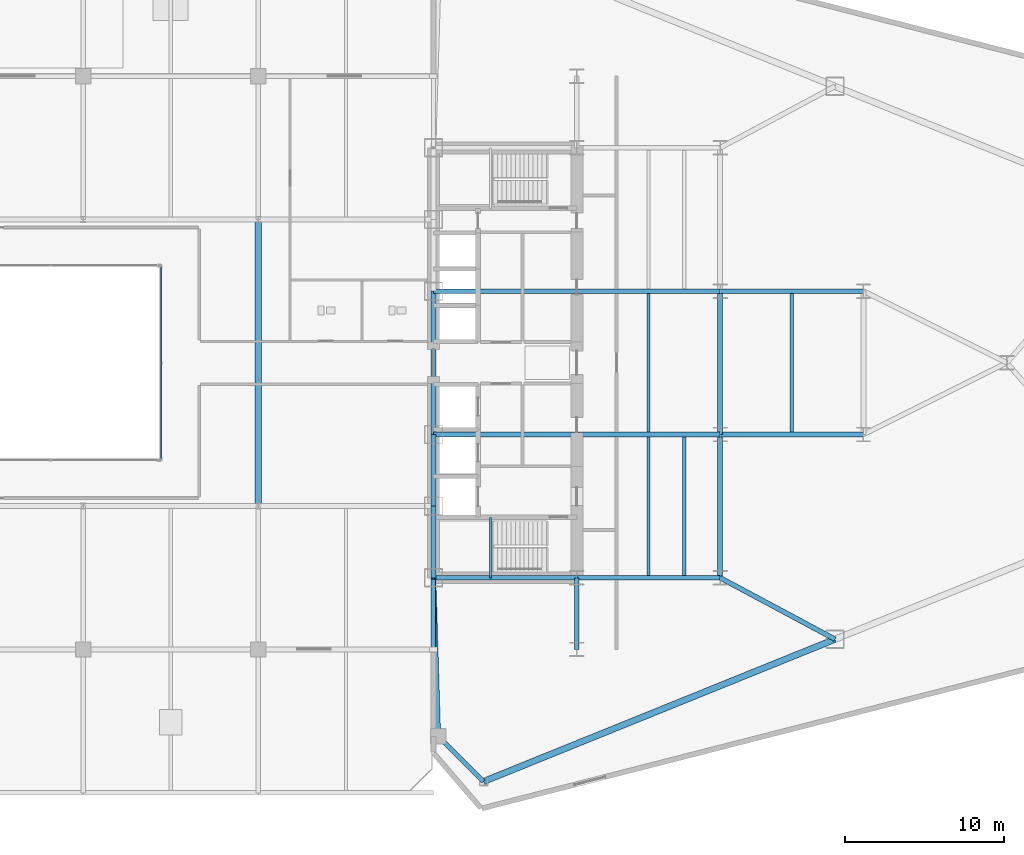
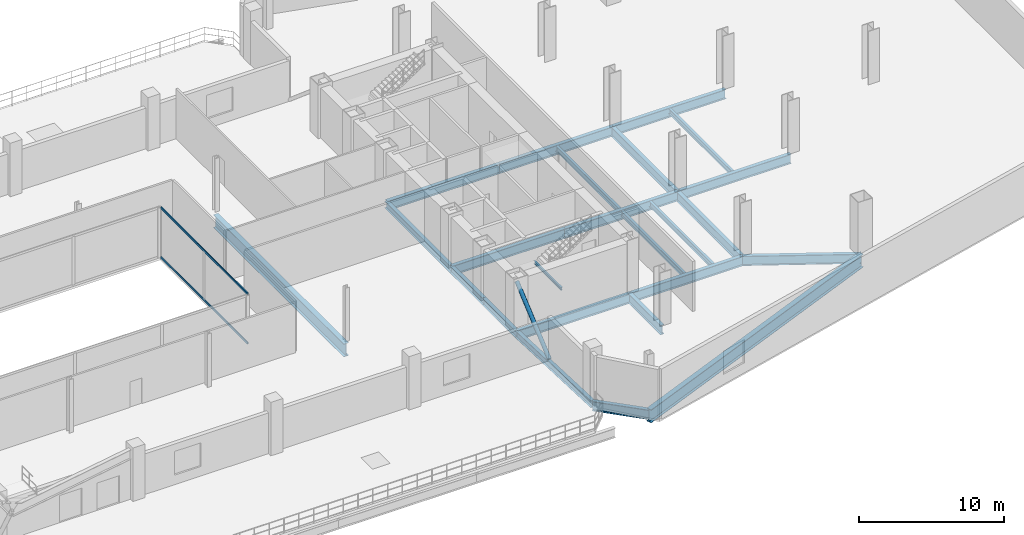
# One storey, part 14 of 27: 24 beams, 3 members, 1 element without a shape of its own.
"""IFC4 building model written with IfcOpenShell, lengths in metres."""

from ifc_helpers import new_model, si_unit, direction, frame, origin, origin_2d, place, context, subcontext, project, spatial, rectangle, hollow_circle, i_section, extrude, source, transform, mapped, material, layer, layer_set, material_profile, profile_set, type_object, type_shapes, element, aggregate, save


model = new_model("IFC4")

# Units and contexts
model_context = context("Model", 3, precision=1e-05, world=origin(), true_north=direction((0.0, 1.0)))
body_context = subcontext(model_context, "Body", "Model", "MODEL_VIEW")
ifc_project = project(units=[si_unit("LENGTHUNIT", "METRE"), si_unit("AREAUNIT", "SQUARE_METRE"), si_unit("VOLUMEUNIT", "CUBIC_METRE"), si_unit("PLANEANGLEUNIT", "RADIAN"), si_unit("MASSUNIT", "GRAM", prefix="KILO")], contexts=[model_context])

# Site, building, storey
site_placement = place(None, origin())
site = spatial("IfcSite", under=ifc_project, at=site_placement, CompositionType="ELEMENT")
building_placement = place(site_placement, origin())
building = spatial("IfcBuilding", under=site, at=building_placement, Name="Seokmaru Belvedere", CompositionType="ELEMENT")
storey_placement = place(building_placement, frame((0.0, 0.0, 9.89990234375)))
storey = spatial("IfcBuildingStorey", under=building, at=storey_placement, Name="L02", CompositionType="ELEMENT", Elevation=9.89990234375)

# Beams
ifc_material_1 = material(Name="Steel SM355 (355 MPa)", Category="steel")
ifc_material_profile_1 = material_profile(ifc_material_1, i_section(OverallWidth=0.300048828125, OverallDepth=0.587890625, WebThickness=0.011962890625, FlangeThickness=0.02001953125, at=origin_2d()), Name="H-588x300x12x20")
ifc_profile_set_1 = profile_set([ifc_material_profile_1], Name="Steel SM355 (355 MPa)")
beam_type_1 = type_object("IfcBeamType", Name="Podium Edge Spandrel Beam H-588", PredefinedType="SPANDREL", material=ifc_profile_set_1)
shared_shape_1 = source(origin(), body_context, "Body", "SweptSolid", [
    extrude(i_section(OverallWidth=0.300048828125, OverallDepth=0.587890625, WebThickness=0.011962890625, FlangeThickness=0.02001953125, at=origin_2d()), origin(), (0.0, 0.0, 1.0), 4.5),
])
for number, where, z_axis, x_axis, name in (
    (1, (27.5, -13.5, -0.573974609375), (0.0, 1.0, 0.0), (-1.0, 0.0, 0.0), "L02 E Portal Spine Spandrel 1"),
    (2, (27.5, -9.0, -0.573974609375), (0.0, 1.0, 0.0), (-1.0, 0.0, 0.0), "L02 E Portal Spine Spandrel 2"),
):
    element("IfcBeam", number, at=place(storey_placement, frame(where, z_axis=z_axis, x_axis=x_axis)), inside=storey, type_object=beam_type_1, Name=name, PredefinedType="SPANDREL", context=body_context, shape_type="MappedRepresentation", body=[
        mapped(shared_shape_1, transform((0.0, 0.0, 0.0), scale=1.0)),
    ])
shared_shape_2 = source(origin(), body_context, "Body", "SweptSolid", [
    extrude(i_section(OverallWidth=0.300048828125, OverallDepth=0.587890625, WebThickness=0.011962890625, FlangeThickness=0.02001953125, at=origin_2d()), origin(), (0.0, 0.0, 1.0), 9.0),
])
beam_1_placement = place(storey_placement, frame((27.5, -4.5, -0.573974609375), z_axis=(0.0, 1.0, 0.0), x_axis=(-1.0, 0.0, 0.0)))
element("IfcBeam", 3, at=beam_1_placement, inside=storey, type_object=beam_type_1, Name="L02 E Portal Spine Spandrel 3", PredefinedType="SPANDREL", context=body_context, shape_type="MappedRepresentation", body=[
    mapped(shared_shape_2, transform((0.0, 0.0, 0.0), scale=1.0)),
])
ifc_material_profile_2 = material_profile(ifc_material_1, i_section(OverallWidth=0.39990234375, OverallDepth=1.10009765625, WebThickness=0.02001953125, FlangeThickness=0.033935546875, at=origin_2d()), Name="BH-1100x400x20x34")
ifc_profile_set_2 = profile_set([ifc_material_profile_2], Name="Steel SM355 (355 MPa)")
beam_type_2 = type_object("IfcBeamType", Name="Sky-Gate Transverse Girder BH-1100", PredefinedType="BEAM", material=ifc_profile_set_2)
shared_shape_3 = source(origin(), body_context, "Body", "SweptSolid", [
    extrude(i_section(OverallWidth=0.39990234375, OverallDepth=1.10009765625, WebThickness=0.02001953125, FlangeThickness=0.033935546875, at=origin_2d()), origin(), (0.0, 0.0, 1.0), 23.811767578125),
])
beam_2_placement = place(storey_placement, frame((30.643310546875, -26.294677734375, -0.829833984375), z_axis=(0.92694579442, 0.375195274766, 0.0), x_axis=(-0.375195274766, 0.92694579442, 0.0)))
element("IfcBeam", 4, at=beam_2_placement, inside=storey, type_object=beam_type_2, Name="L02 E Podium Long-Span Flank Girder S-1", PredefinedType="BEAM", context=body_context, shape_type="MappedRepresentation", body=[
    mapped(shared_shape_3, transform((0.0, 0.0, 0.0), scale=1.0)),
])
shared_shape_4 = source(origin(), body_context, "Body", "SweptSolid", [
    extrude(i_section(OverallWidth=0.300048828125, OverallDepth=0.587890625, WebThickness=0.011962890625, FlangeThickness=0.02001953125, at=origin_2d()), origin(), (0.0, 0.0, 1.0), 9.9560546875),
])
type_shapes(beam_type_1, [shared_shape_1, shared_shape_2, shared_shape_4])
beam_3_placement = place(storey_placement, frame((27.800048828125, -23.451416015625, -0.573974609375), z_axis=(-0.030137674137, 0.999545757131, 0.0), x_axis=(-0.999545757131, -0.030137674137, 0.0)))
element("IfcBeam", 5, at=beam_3_placement, inside=storey, type_object=beam_type_1, Name="L02 E Podium Spine Shoulder Tie S", PredefinedType="SPANDREL", context=body_context, shape_type="MappedRepresentation", body=[
    mapped(shared_shape_4, transform((0.0, 0.0, 0.0), scale=1.0)),
])
ifc_material_profile_3 = material_profile(ifc_material_1, i_section(OverallWidth=0.300048828125, OverallDepth=0.800048828125, WebThickness=0.013916015625, FlangeThickness=0.02587890625, at=origin_2d()), Name="H-800x300x14x26")
ifc_profile_set_3 = profile_set([ifc_material_profile_3], Name="Steel SM355 (355 MPa)")
beam_type_3 = type_object("IfcBeamType", Name="Podium Primary Girder H-800", PredefinedType="BEAM", material=ifc_profile_set_3)
shared_shape_5 = source(origin(), body_context, "Body", "SweptSolid", [
    extrude(i_section(OverallWidth=0.300048828125, OverallDepth=0.800048828125, WebThickness=0.013916015625, FlangeThickness=0.02587890625, at=origin_2d()), origin(), (0.0, 0.0, 1.0), 4.5),
])
beam_4_placement = place(storey_placement, frame((36.5, -18.0, -0.679931640625), z_axis=(0.0, 1.0, 0.0), x_axis=(-1.0, 0.0, 0.0)))
element("IfcBeam", 6, at=beam_4_placement, inside=storey, type_object=beam_type_3, Name="L02 E Core Shoulder Girder S", PredefinedType="BEAM", context=body_context, shape_type="MappedRepresentation", body=[
    mapped(shared_shape_5, transform((0.0, 0.0, 0.0), scale=1.0)),
])
shared_shape_6 = source(origin(), body_context, "Body", "SweptSolid", [
    extrude(i_section(OverallWidth=0.300048828125, OverallDepth=0.800048828125, WebThickness=0.013916015625, FlangeThickness=0.02587890625, at=origin_2d()), origin(), (0.0, 0.0, 1.0), 9.0),
])
for number, where, z_axis, x_axis, name in (
    (7, (45.5, -13.5, -0.679931640625), (0.0, 1.0, 0.0), (-1.0, 0.0, 0.0), "L02 E Interior Grid Girder 1"),
    (8, (45.5, -4.5, -0.679931640625), (0.0, 1.0, 0.0), (-1.0, 0.0, 0.0), "L02 E Interior Grid Girder 2"),
    (9, (27.5, -13.5, -0.679931640625), (1.0, 0.0, 0.0), (0.0, 1.0, 0.0), "L02 E Core Tie Girder 1"),
    (10, (36.5, -13.5, -0.679931640625), (1.0, 0.0, 0.0), (0.0, 1.0, 0.0), "L02 E Wing Primary Girder 1"),
    (11, (27.5, -4.5, -0.679931640625), (1.0, 0.0, 0.0), (0.0, 1.0, 0.0), "L02 E Core Tie Girder 2"),
    (12, (36.5, -4.5, -0.679931640625), (1.0, 0.0, 0.0), (0.0, 1.0, 0.0), "L02 E Wing Primary Girder 2"),
    (13, (27.5, 4.5, -0.679931640625), (1.0, 0.0, 0.0), (0.0, 1.0, 0.0), "L02 E Core Tie Girder 3"),
    (14, (36.5, 4.5, -0.679931640625), (1.0, 0.0, 0.0), (0.0, 1.0, 0.0), "L02 E Wing Primary Girder 3"),
    (15, (45.5, -4.5, -0.679931640625), (1.0, 0.0, 0.0), (0.0, 1.0, 0.0), "L02 E Outer Wing Girder 1"),
    (16, (45.5, 4.5, -0.679931640625), (1.0, 0.0, 0.0), (0.0, 1.0, 0.0), "L02 E Outer Wing Girder 2"),
):
    element("IfcBeam", number, at=place(storey_placement, frame(where, z_axis=z_axis, x_axis=x_axis)), inside=storey, type_object=beam_type_3, Name=name, PredefinedType="BEAM", context=body_context, shape_type="MappedRepresentation", body=[
        mapped(shared_shape_6, transform((0.0, 0.0, 0.0), scale=1.0)),
    ])
ifc_material_profile_4 = material_profile(ifc_material_1, i_section(OverallWidth=0.199951171875, OverallDepth=0.449951171875, WebThickness=0.009033203125, FlangeThickness=0.013916015625, at=origin_2d()), Name="H-450x200x9x14")
ifc_profile_set_4 = profile_set([ifc_material_profile_4], Name="Steel SM355 (355 MPa)")
beam_type_4 = type_object("IfcBeamType", Name="Podium Secondary Joist H-450", PredefinedType="JOIST", material=ifc_profile_set_4)
shared_shape_7 = source(origin(), body_context, "Body", "SweptSolid", [
    extrude(i_section(OverallWidth=0.199951171875, OverallDepth=0.449951171875, WebThickness=0.009033203125, FlangeThickness=0.013916015625, at=origin_2d()), origin(), (0.0, 0.0, 1.0), 8.68994140625),
])
type_shapes(beam_type_4, [shared_shape_7])
for number, where, z_axis, x_axis, name in (
    (17, (43.25, -13.344970703125, -0.5048828125), (0.0, 1.0, 0.0), (-1.0, 0.0, 0.0), "L02 E Wing Inner Secondary Joist 1"),
    (18, (41.0, -13.344970703125, -0.5048828125), (0.0, 1.0, 0.0), (-1.0, 0.0, 0.0), "L02 E Secondary Floor Joist 1"),
    (19, (41.0, -4.344970703125, -0.5048828125), (0.0, 1.0, 0.0), (-1.0, 0.0, 0.0), "L02 E Secondary Floor Joist 2"),
    (20, (50.0, -4.344970703125, -0.5048828125), (0.0, 1.0, 0.0), (-1.0, 0.0, 0.0), "L02 E Outer Bay Secondary Joist"),
):
    element("IfcBeam", number, at=place(storey_placement, frame(where, z_axis=z_axis, x_axis=x_axis)), inside=storey, type_object=beam_type_4, Name=name, PredefinedType="JOIST", context=body_context, shape_type="MappedRepresentation", body=[
        mapped(shared_shape_7, transform((0.0, 0.0, 0.0), scale=1.0)),
    ])
shared_shape_8 = source(origin(), body_context, "Body", "SweptSolid", [
    extrude(i_section(OverallWidth=0.300048828125, OverallDepth=0.800048828125, WebThickness=0.013916015625, FlangeThickness=0.02587890625, at=origin_2d()), origin(), (0.0, 0.0, 1.0), 4.02099609375),
])
beam_5_placement = place(storey_placement, frame((30.643310546875, -26.294677734375, -0.679931640625), z_axis=(-0.707106781187, 0.707106781187, 0.0), x_axis=(-0.707106781187, -0.707106781187, 0.0)))
element("IfcBeam", 21, at=beam_5_placement, inside=storey, type_object=beam_type_3, Name="L02 E Podium South Shoulder Girder", PredefinedType="BEAM", context=body_context, shape_type="MappedRepresentation", body=[
    mapped(shared_shape_8, transform((0.0, 0.0, 0.0), scale=1.0)),
])
shared_shape_9 = source(origin(), body_context, "Body", "SweptSolid", [
    extrude(i_section(OverallWidth=0.300048828125, OverallDepth=0.800048828125, WebThickness=0.013916015625, FlangeThickness=0.02587890625, at=origin_2d()), origin(), (0.0, 0.0, 1.0), 8.183349609375),
])
type_shapes(beam_type_3, [shared_shape_5, shared_shape_6, shared_shape_8, shared_shape_9])
beam_6_placement = place(storey_placement, frame((52.715576171875, -17.360595703125, -0.679931640625), z_axis=(-0.881728657166, 0.47175690258, 0.0), x_axis=(-0.47175690258, -0.881728657166, 0.0)))
element("IfcBeam", 22, at=beam_6_placement, inside=storey, type_object=beam_type_3, Name="L02 E Flank Radial Floor Girder S-2", PredefinedType="BEAM", context=body_context, shape_type="MappedRepresentation", body=[
    mapped(shared_shape_9, transform((0.0, 0.0, 0.0), scale=1.0)),
])
shared_shape_10 = source(origin(), body_context, "Body", "SweptSolid", [
    extrude(i_section(OverallWidth=0.39990234375, OverallDepth=1.10009765625, WebThickness=0.02001953125, FlangeThickness=0.033935546875, at=origin_2d()), origin(), (0.0, 0.0, 1.0), 18.0),
])
type_shapes(beam_type_2, [shared_shape_3, shared_shape_10])
beam_7_placement = place(storey_placement, frame((16.5, -9.0, -0.829833984375), z_axis=(0.0, 1.0, 0.0), x_axis=(-1.0, 0.0, 0.0)))
element("IfcBeam", 23, at=beam_7_placement, inside=storey, type_object=beam_type_2, Name="L02 Central Podium Transverse Girder 4-3", PredefinedType="BEAM", context=body_context, shape_type="MappedRepresentation", body=[
    mapped(shared_shape_10, transform((0.0, 0.0, 0.0), scale=1.0)),
])

# Member
ifc_material_profile_5 = material_profile(ifc_material_1, hollow_circle(Radius=0.1591796875, WallThickness=0.01025390625, at=origin_2d()), Name="CHS-318.5x10.3")
ifc_profile_set_5 = profile_set([ifc_material_profile_5], Name="Steel SM355 (355 MPa)")
member_type_1 = type_object("IfcMemberType", Name="Podium Portal Wind Brace CHS-318", PredefinedType="BRACE", material=ifc_profile_set_5)
shared_shape_11 = source(origin(), body_context, "Body", "SweptSolid", [
    extrude(hollow_circle(Radius=0.1591796875, WallThickness=0.01025390625, at=origin_2d()), origin(), (0.0, 0.0, 1.0), 5.90283203125),
])
type_shapes(member_type_1, [shared_shape_11])
member_1_placement = place(storey_placement, frame((27.5, -18.0, 0.0), z_axis=(0.0, 0.76235144486, 0.64716325183), x_axis=(-1.0, 0.0, 0.0)))
element("IfcMember", 24, at=member_1_placement, inside=storey, type_object=member_type_1, Name="L02 Podium Portal Wind Brace ES", PredefinedType="BRACE", context=body_context, shape_type="MappedRepresentation", body=[
    mapped(shared_shape_11, transform((0.0, 0.0, 0.0), scale=1.0)),
])

# Curtain wall, members
ifc_material_2 = material(Name="Bronze Triple Insulating Glass", Category="glass")
ifc_layer = layer(ifc_material_2, 0.219970703125)
ifc_layer_set = layer_set([ifc_layer], Name="Bronze Triple Insulating Glass")
curtain_wall_type = type_object("IfcCurtainWallType", Name="Podium Concourse Curtain Wall System CW-1", PredefinedType="NOTDEFINED", material=ifc_layer_set)
curtain_wall_placement = place(storey_placement, origin())
curtain_wall = element("IfcCurtainWall", 25, at=curtain_wall_placement, inside=storey, type_object=curtain_wall_type, Name="L02 Curtain Wall AT_E", PredefinedType="NOTDEFINED")
ifc_material_3 = material(Name="Anodised Bronze Aluminium", Category="aluminium")
ifc_material_profile_6 = material_profile(ifc_material_3, rectangle(XDim=0.074951171875, YDim=0.179931640625, at=origin_2d()), Name="CW-T-75x180")
ifc_profile_set_6 = profile_set([ifc_material_profile_6], Name="Anodised Bronze Aluminium")
member_type_2 = type_object("IfcMemberType", Name="Bronze Unitised Transom 75x180", PredefinedType="USERDEFINED", material=ifc_profile_set_6)
shared_shape_12 = source(origin(), body_context, "Body", "SweptSolid", [
    extrude(rectangle(XDim=0.074951171875, YDim=0.179931640625, at=origin_2d()), origin(), (0.0, 0.0, 1.0), 12.0),
])
type_shapes(member_type_2, [shared_shape_12])
member_2_placement = place(storey_placement, frame((10.39990234375, -6.0, 0.03759765625), z_axis=(0.0, 1.0, 0.0), x_axis=(-1.0, 0.0, 0.0)))
member_2 = element("IfcMember", 26, at=member_2_placement, type_object=member_type_2, Name="CW:L02:AT_E Continuous Transom 1", ObjectType="TRANSOM", PredefinedType="USERDEFINED", context=body_context, shape_type="MappedRepresentation", body=[
    mapped(shared_shape_12, transform((0.0, 0.0, 0.0), scale=1.0)),
])
member_3_placement = place(storey_placement, frame((10.39990234375, -6.0, 4.1826171875), z_axis=(0.0, 1.0, 0.0), x_axis=(-1.0, 0.0, 0.0)))
member_3 = element("IfcMember", 27, at=member_3_placement, type_object=member_type_2, Name="CW:L02:AT_E Continuous Transom 2", ObjectType="TRANSOM", PredefinedType="USERDEFINED", context=body_context, shape_type="MappedRepresentation", body=[
    mapped(shared_shape_12, transform((0.0, 0.0, 0.0), scale=1.0)),
])
aggregate(curtain_wall, [member_2, member_3])

# Beam
ifc_material_profile_7 = material_profile(ifc_material_1, i_section(OverallWidth=0.125, OverallDepth=0.25, WebThickness=0.006103515625, FlangeThickness=0.009033203125, at=origin_2d()), Name="H-250x125x6x9")
ifc_profile_set_7 = profile_set([ifc_material_profile_7], Name="Steel SM355 (355 MPa)")
beam_type_5 = type_object("IfcBeamType", Name="Stair Mid-Landing Support Beam H-250", PredefinedType="JOIST", material=ifc_profile_set_7)
shared_shape_13 = source(origin(), body_context, "Body", "SweptSolid", [
    extrude(i_section(OverallWidth=0.125, OverallDepth=0.25, WebThickness=0.006103515625, FlangeThickness=0.009033203125, at=origin_2d()), origin(), (0.0, 0.0, 1.0), 3.800048828125),
])
type_shapes(beam_type_5, [shared_shape_13])
beam_8_placement = place(storey_placement, frame((31.090087890625, -13.5, 1.925048828125), z_axis=(0.0, 1.0, 0.0), x_axis=(-1.0, 0.0, 0.0)))
element("IfcBeam", 28, at=beam_8_placement, inside=storey, type_object=beam_type_5, Name="L02 Stair ST-E1 Mid-Landing Support Beam 1", PredefinedType="JOIST", context=body_context, shape_type="MappedRepresentation", body=[
    mapped(shared_shape_13, transform((0.0, 0.0, 0.0), scale=1.0)),
])

save(model, "model.ifc")
